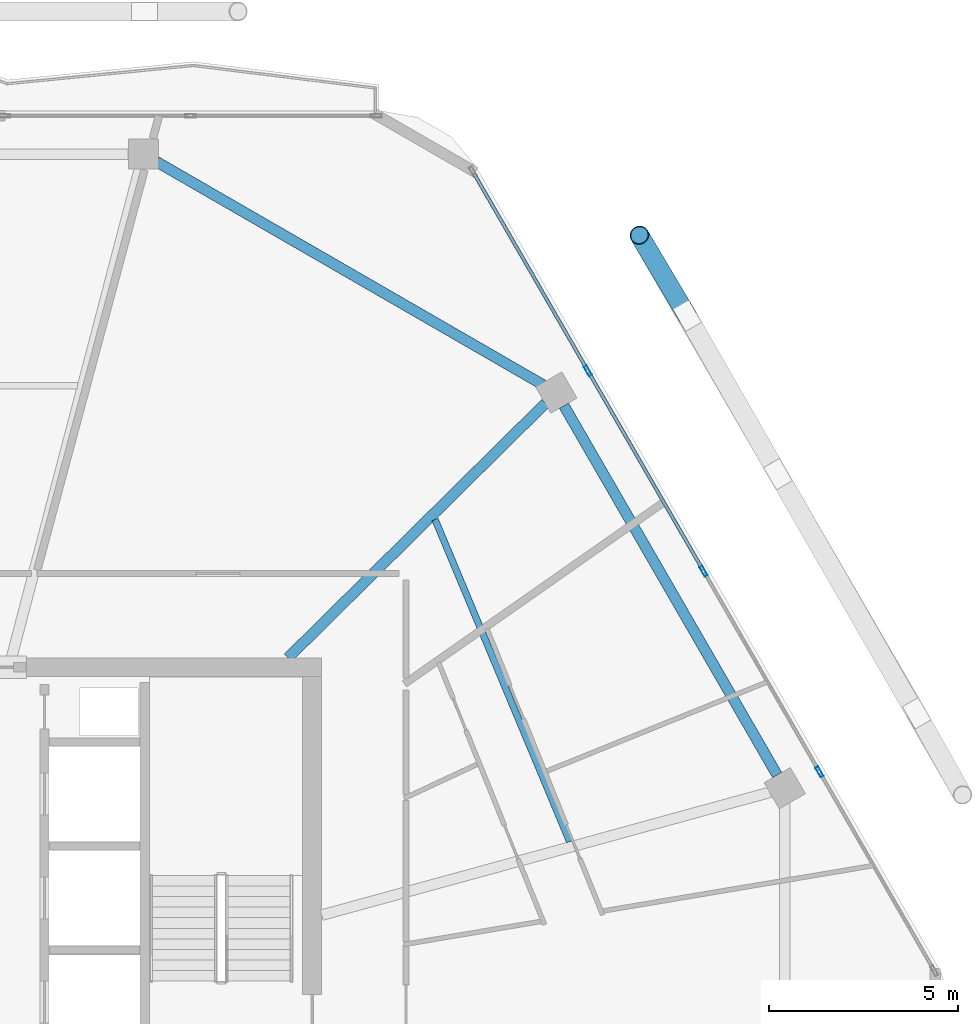
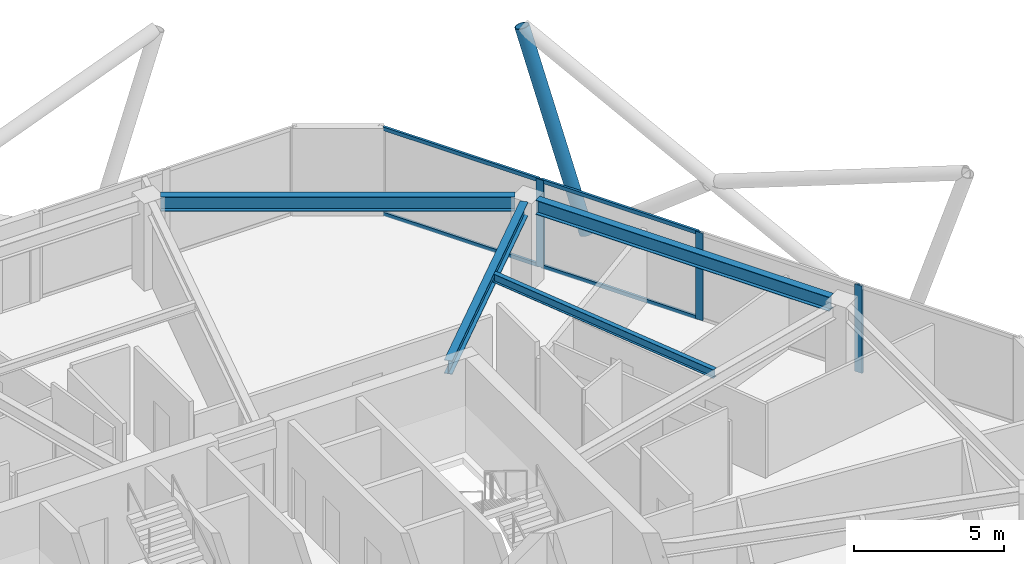
# One storey, part 13 of 23: 8 members, 4 beams, 1 element without a shape of its own.
"""IFC4 building model written with IfcOpenShell, lengths in metres."""

import ifcopenshell
import ifcopenshell.guid

model = None  # the IFC model being written
_history = None  # IfcOwnerHistory: only IFC2X3 demands one
_inside = {}  # id of a spatial element -> (the spatial element, [elements in it])
_under = {}  # id of a project, library or spatial element -> (it, [spatial elements below it])
_declared = {}  # id of a project -> (the project, [libraries it declares])
_typed = {}  # id of a type object -> (the type object, [elements of that type])
_made_of = {}  # id of a material, layer set ... -> (it, [elements and type objects made of it])


def new_model(schema):
    """Start an empty IFC model of exactly this schema.

    Asked for "IFC4X3", IfcOpenShell would pick the latest addendum, in which some entities
    have other attributes; the version numbers below select the first issue.
    IFC2X3 requires an IfcOwnerHistory on every rooted entity: one is made here for all.
    """
    global model, _history
    if schema == "IFC4X3":
        model = ifcopenshell.file(schema_version=(4, 3, 0, 0))
    else:
        model = ifcopenshell.file(schema=schema)
    _inside.clear()
    _under.clear()
    _declared.clear()
    _typed.clear()
    _made_of.clear()
    _history = None
    if model.schema == "IFC2X3":
        org = make("IfcOrganization", Name="unknown")
        user = make(
            "IfcPersonAndOrganization",
            ThePerson=make("IfcPerson", FamilyName="unknown"),
            TheOrganization=org,
        )
        app = make(
            "IfcApplication",
            ApplicationDeveloper=org,
            Version="unknown",
            ApplicationFullName="unknown",
            ApplicationIdentifier="unknown",
        )
        _history = make(
            "IfcOwnerHistory",
            OwningUser=user,
            OwningApplication=app,
            ChangeAction="ADDED",
            CreationDate=0,
        )
    return model


def make(cls, **values):
    """One entity of the class cls with the attributes given. An attribute that is None is left unset."""
    return model.create_entity(
        cls, **{name: value for name, value in values.items() if value is not None}
    )


def rooted(cls, **values):
    """An entity with a GlobalId (a new one), such as an element, a storey or a relation."""
    return make(cls, GlobalId=ifcopenshell.guid.new(), OwnerHistory=_history, **values)


def si_unit(unit_type, name, prefix=None):
    """IfcSIUnit, for example si_unit("LENGTHUNIT", "METRE", prefix="MILLI")."""
    return make("IfcSIUnit", UnitType=unit_type, Prefix=prefix, Name=name)


def assignment(units):
    """IfcUnitAssignment: the units of a project."""
    return None if units is None else make("IfcUnitAssignment", Units=units)


def point(xyz):
    """IfcCartesianPoint."""
    return None if xyz is None else make("IfcCartesianPoint", Coordinates=xyz)


def direction(xyz):
    """IfcDirection."""
    return None if xyz is None else make("IfcDirection", DirectionRatios=xyz)


def frame(location, z_axis=None, x_axis=None):
    """IfcAxis2Placement3D, a coordinate frame: its origin and axes. An axis left out is left unset."""
    return make(
        "IfcAxis2Placement3D",
        Location=point(location),
        Axis=direction(z_axis),
        RefDirection=direction(x_axis),
    )


def frame_2d(location, x_axis=None):
    """IfcAxis2Placement2D, a coordinate frame in the plane: its origin and x axis."""
    return make(
        "IfcAxis2Placement2D", Location=point(location), RefDirection=direction(x_axis)
    )


def origin():
    """The frame at (0, 0, 0) with its axes left unset."""
    return frame((0.0, 0.0, 0.0))


def origin_2d():
    """The frame at (0, 0) in the plane with its x axis left unset."""
    return frame_2d((0.0, 0.0))


def place(relative_to, where):
    """IfcLocalPlacement: puts the frame where relative to a parent placement (None: the world)."""
    return make(
        "IfcLocalPlacement", PlacementRelTo=relative_to, RelativePlacement=where
    )


def context(
    kind, dimensions, precision=None, world=None, true_north=None, identifier=None
):
    """IfcGeometricRepresentationContext, for example the 3D "Model" context."""
    return make(
        "IfcGeometricRepresentationContext",
        ContextIdentifier=identifier,
        ContextType=kind,
        CoordinateSpaceDimension=dimensions,
        Precision=precision,
        WorldCoordinateSystem=world,
        TrueNorth=true_north,
    )


def subcontext(parent, identifier, kind, view, scale=None):
    """IfcGeometricRepresentationSubContext, for example "Body" below "Model"."""
    return make(
        "IfcGeometricRepresentationSubContext",
        ContextIdentifier=identifier,
        ContextType=kind,
        ParentContext=parent,
        TargetScale=scale,
        TargetView=view,
    )


def project(units=None, contexts=None):
    """IfcProject with its units and contexts."""
    return rooted(
        "IfcProject",
        Name="project",
        RepresentationContexts=contexts,
        UnitsInContext=assignment(units),
    )


def spatial(cls, under=None, at=None, **own):
    """A site, building, storey or space (cls), placed at a placement, below another one or the project."""
    s = rooted(cls, ObjectPlacement=at, **own)
    if under is not None:
        _under.setdefault(under.id(), (under, []))[1].append(s)
    return s


def profile(cls, at=None, kind="AREA", **sizes):
    """A parametric profile (cls). Its sizes go by their IFC names, for example OverallWidth=200.0."""
    return make(cls, ProfileType=kind, Position=at, **sizes)


def hollow_rectangle(**sizes):
    """IfcRectangleHollowProfileDef."""
    return profile("IfcRectangleHollowProfileDef", **sizes)


def hollow_circle(**sizes):
    """IfcCircleHollowProfileDef."""
    return profile("IfcCircleHollowProfileDef", **sizes)


def i_section(**sizes):
    """IfcIShapeProfileDef."""
    return profile("IfcIShapeProfileDef", **sizes)


def extrude(swept, where, along, depth):
    """IfcExtrudedAreaSolid: the profile swept, set in the frame where, extruded along a direction by depth."""
    return make(
        "IfcExtrudedAreaSolid",
        SweptArea=swept,
        Position=where,
        ExtrudedDirection=direction(along),
        Depth=depth,
    )


def shape(context_of_items, identifier, shape_type, items):
    """IfcShapeRepresentation: the items that make up one representation, for example the "Body"."""
    return make(
        "IfcShapeRepresentation",
        ContextOfItems=context_of_items,
        RepresentationIdentifier=identifier,
        RepresentationType=shape_type,
        Items=items,
    )


def material(Name=None, Category=None):
    """IfcMaterial."""
    return make("IfcMaterial", Name=Name, Category=Category)


def material_profile(
    of_material, cross_section, Name=None, Category=None, Priority=None
):
    """IfcMaterialProfile: a cross section and its material."""
    return make(
        "IfcMaterialProfile",
        Name=Name,
        Material=of_material,
        Profile=cross_section,
        Priority=Priority,
        Category=Category,
    )


def profile_set(profiles, Name=None, composite=None):
    """IfcMaterialProfileSet."""
    return make(
        "IfcMaterialProfileSet",
        Name=Name,
        MaterialProfiles=profiles,
        CompositeProfile=composite,
    )


def made_of(thing, what):
    """Note that an element or type object is made of a material, layer set ...; save() writes the relation."""
    if what is not None:
        _made_of.setdefault(what.id(), (what, []))[1].append(thing)
    return thing


def type_object(cls, material=None, **own):
    """A type object (cls), such as IfcWallType, which elements share."""
    return made_of(rooted(cls, **own), material)


def element(
    cls,
    number,
    at=None,
    inside=None,
    cuts=None,
    type_object=None,
    material=None,
    context=None,
    identifier="Body",
    shape_type=None,
    held_by="IfcProductDefinitionShape",
    body=None,
    shapes=None,
    **own,
):
    """One element of the class cls, such as IfcWall. Its Tag is "e" and its number.

    at: its placement. inside: the storey or other place that contains it. cuts: it is an
    opening in that element (IfcRelVoidsElement). A single representation is given by context,
    identifier, shape_type and body (its items); several are given by shapes. held_by: the class
    of the entity that holds the representations. save() writes the other relations.
    """
    e = rooted(cls, Tag="e%d" % number, ObjectPlacement=at, **own)
    if body is not None:
        shapes = [shape(context, identifier, shape_type, body)]
    if shapes is not None:
        e.Representation = make(held_by, Representations=shapes)
    if inside is not None:
        _inside.setdefault(inside.id(), (inside, []))[1].append(e)
    if cuts is not None:
        rooted(
            "IfcRelVoidsElement", RelatingBuildingElement=cuts, RelatedOpeningElement=e
        )
    if type_object is not None:
        _typed.setdefault(type_object.id(), (type_object, []))[1].append(e)
    return made_of(e, material)


def aggregate(whole, parts):
    """IfcRelAggregates: a whole, such as a stair, and the parts it consists of."""
    return rooted("IfcRelAggregates", RelatingObject=whole, RelatedObjects=parts)


def save(model, path):
    """Write the relations noted so far, then the file.

    IfcRelAggregates (storeys below a building ...), IfcRelContainedInSpatialStructure (elements
    in a storey), IfcRelDefinesByType, IfcRelAssociatesMaterial and IfcRelDeclares: one each for
    every whole, place, type object, material and project.
    """
    for whole, parts in _under.values():
        aggregate(whole, parts)
    for where, things in _inside.values():
        rooted(
            "IfcRelContainedInSpatialStructure",
            RelatedElements=things,
            RelatingStructure=where,
        )
    for kind, things in _typed.values():
        rooted("IfcRelDefinesByType", RelatedObjects=things, RelatingType=kind)
    for what, things in _made_of.values():
        rooted("IfcRelAssociatesMaterial", RelatedObjects=things, RelatingMaterial=what)
    for by, libraries in _declared.values():
        rooted("IfcRelDeclares", RelatingContext=by, RelatedDefinitions=libraries)
    model.write(path)


model = new_model("IFC4")

# Units and contexts
model_context = context("Model", 3, precision=1e-05, world=origin(), true_north=direction((0.0, 1.0)))
body_context = subcontext(model_context, "Body", "Model", "MODEL_VIEW")
ifc_project = project(units=[si_unit("LENGTHUNIT", "METRE"), si_unit("AREAUNIT", "SQUARE_METRE"), si_unit("VOLUMEUNIT", "CUBIC_METRE"), si_unit("PLANEANGLEUNIT", "RADIAN"), si_unit("MASSUNIT", "GRAM", prefix="KILO")], contexts=[model_context])

# Site, building, storey
site_placement = place(None, origin())
site = spatial("IfcSite", under=ifc_project, at=site_placement, CompositionType="ELEMENT")
building_placement = place(site_placement, origin())
building = spatial("IfcBuilding", under=site, at=building_placement, Name="Zuhravey Tower", CompositionType="ELEMENT")
storey_placement = place(building_placement, frame((0.0, 0.0, 323.39990234375)))
storey = spatial("IfcBuildingStorey", under=building, at=storey_placement, Name="L82", CompositionType="ELEMENT", Elevation=323.39990234375)

# Curtain wall, members
ifc_material_1 = material(Name="Thermally broken anodised aluminium", Category="aluminium")
curtain_wall_type = type_object("IfcCurtainWallType", Name="Zone 3-4 High-Rise Curtain Wall CW4", PredefinedType="NOTDEFINED", material=ifc_material_1)
curtain_wall_placement = place(storey_placement, origin())
curtain_wall = element("IfcCurtainWall", 1, at=curtain_wall_placement, inside=storey, type_object=curtain_wall_type, Name="L82 CW4 CW-L82-F1-1", PredefinedType="NOTDEFINED")
ifc_material_2 = material(Name="Anodised aluminium", Category="aluminium")
ifc_material_profile_1 = material_profile(ifc_material_2, hollow_rectangle(XDim=0.090087890625, YDim=0.284912109375, WallThickness=0.0048828125, at=origin_2d()), Name="ALU-RHS-90x285x5")
ifc_profile_set_1 = profile_set([ifc_material_profile_1], Name="Anodised aluminium")
member_type_1 = type_object("IfcMemberType", Name="Curtain-Wall Mullion 90x180", PredefinedType="MULLION", material=ifc_profile_set_1)
member_1_placement = place(storey_placement, frame((53.788818359375, 49.3369140625, 0.0), z_axis=(0.0, 0.0, 1.0), x_axis=(0.866025511541, 0.49999981336, 0.0)))
member_1 = element("IfcMember", 2, at=member_1_placement, type_object=member_type_1, Name="CW4 mullion 2", PredefinedType="MULLION", context=body_context, shape_type="SweptSolid", body=[
    extrude(hollow_rectangle(XDim=0.090087890625, YDim=0.284912109375, WallThickness=0.0048828125, at=origin_2d()), origin(), (0.0, 0.0, 1.0), 3.550048828125),
])
member_2_placement = place(storey_placement, frame((56.8486328125, 44.037109375, 0.0), z_axis=(0.0, 0.0, 1.0), x_axis=(0.866025511541, 0.49999981336, 0.0)))
member_2 = element("IfcMember", 3, at=member_2_placement, type_object=member_type_1, Name="CW4 mullion 3", PredefinedType="MULLION", context=body_context, shape_type="SweptSolid", body=[
    extrude(hollow_rectangle(XDim=0.090087890625, YDim=0.284912109375, WallThickness=0.0048828125, at=origin_2d()), origin(), (0.0, 0.0, 1.0), 3.550048828125),
])
member_3_placement = place(storey_placement, frame((59.90869140625, 38.7373046875, 0.0), z_axis=(0.0, 0.0, 1.0), x_axis=(0.866025511541, 0.49999981336, 0.0)))
member_3 = element("IfcMember", 4, at=member_3_placement, type_object=member_type_1, Name="CW4 mullion 4", PredefinedType="MULLION", context=body_context, shape_type="SweptSolid", body=[
    extrude(hollow_rectangle(XDim=0.090087890625, YDim=0.284912109375, WallThickness=0.0048828125, at=origin_2d()), origin(), (0.0, 0.0, 1.0), 3.550048828125),
])
ifc_material_profile_2 = material_profile(ifc_material_2, hollow_rectangle(XDim=0.090087890625, YDim=0.14990234375, WallThickness=0.0048828125, at=origin_2d()), Name="ALU-RHS-90x150x5")
ifc_profile_set_2 = profile_set([ifc_material_profile_2], Name="Anodised aluminium")
member_type_2 = type_object("IfcMemberType", Name="Curtain-Wall Transom 90x150", PredefinedType="USERDEFINED", material=ifc_profile_set_2)
member_4_placement = place(storey_placement, frame((50.774169921875, 54.55859375, 0.045166015625), z_axis=(0.499982594807, -0.866035452444, 0.0), x_axis=(0.866035452444, 0.499982594807, 0.0)))
member_4 = element("IfcMember", 5, at=member_4_placement, type_object=member_type_2, Name="CW4 transom 1.1", ObjectType="TRANSOM", PredefinedType="USERDEFINED", context=body_context, shape_type="SweptSolid", body=[
    extrude(hollow_rectangle(XDim=0.090087890625, YDim=0.14990234375, WallThickness=0.0048828125, at=origin_2d()), origin(), (0.0, 0.0, 1.0), 5.984619140625),
])
member_5_placement = place(storey_placement, frame((50.774169921875, 54.55859375, 3.505126953125), z_axis=(0.499982594807, -0.866035452444, 0.0), x_axis=(0.866035452444, 0.499982594807, 0.0)))
member_5 = element("IfcMember", 6, at=member_5_placement, type_object=member_type_2, Name="CW4 transom 1.2", ObjectType="TRANSOM", PredefinedType="USERDEFINED", context=body_context, shape_type="SweptSolid", body=[
    extrude(hollow_rectangle(XDim=0.090087890625, YDim=0.14990234375, WallThickness=0.0048828125, at=origin_2d()), origin(), (0.0, 0.0, 1.0), 5.984619140625),
])
member_6_placement = place(storey_placement, frame((53.8115234375, 49.2978515625, 0.045166015625), z_axis=(0.499971305196, -0.866041970103, 0.0), x_axis=(0.866041970103, 0.499971305196, 0.0)))
member_6 = element("IfcMember", 7, at=member_6_placement, type_object=member_type_2, Name="CW4 transom 2.1", ObjectType="TRANSOM", PredefinedType="USERDEFINED", context=body_context, shape_type="SweptSolid", body=[
    extrude(hollow_rectangle(XDim=0.090087890625, YDim=0.14990234375, WallThickness=0.0048828125, at=origin_2d()), origin(), (0.0, 0.0, 1.0), 6.029541015625),
])
member_7_placement = place(storey_placement, frame((53.8115234375, 49.2978515625, 3.505126953125), z_axis=(0.499971305196, -0.866041970103, 0.0), x_axis=(0.866041970103, 0.499971305196, 0.0)))
member_7 = element("IfcMember", 8, at=member_7_placement, type_object=member_type_2, Name="CW4 transom 2.2", ObjectType="TRANSOM", PredefinedType="USERDEFINED", context=body_context, shape_type="SweptSolid", body=[
    extrude(hollow_rectangle(XDim=0.090087890625, YDim=0.14990234375, WallThickness=0.0048828125, at=origin_2d()), origin(), (0.0, 0.0, 1.0), 6.029541015625),
])
aggregate(curtain_wall, [member_1, member_2, member_3, member_4, member_5, member_6, member_7])

# Member
ifc_material_3 = material(Name="Steel SM355", Category="steel")
ifc_material_profile_3 = material_profile(ifc_material_3, hollow_circle(Radius=0.25390625, WallThickness=0.02490234375, at=origin_2d()), Name="CHS-508.0x25")
ifc_profile_set_3 = profile_set([ifc_material_profile_3], Name="Steel SM355")
member_type_3 = type_object("IfcMemberType", Name="Exoskeleton Zone 4 Diagrid CHS508x25", PredefinedType="BRACE", material=ifc_profile_set_3)
member_8_placement = place(storey_placement, frame((56.410400390625, 50.796142578125, -0.447998046875), z_axis=(-0.158476866011, 0.26696973597, 0.950585210812), x_axis=(-0.859906229108, -0.510452032165, 0.0)))
element("IfcMember", 9, at=member_8_placement, inside=storey, type_object=member_type_3, Name="L82 Face 1 Diagrid Brace 4", PredefinedType="BRACE", context=body_context, shape_type="SweptSolid", body=[
    extrude(hollow_circle(Radius=0.25390625, WallThickness=0.02490234375, at=origin_2d()), origin(), (0.0, 0.0, 1.0), 7.96142578125),
])

# Beams
ifc_material_profile_4 = material_profile(ifc_material_3, i_section(OverallWidth=0.280029296875, OverallDepth=0.580078125, WebThickness=0.011962890625, FlangeThickness=0.01904296875, at=origin_2d()), Name="H-580x280x12x19")
ifc_profile_set_4 = profile_set([ifc_material_profile_4], Name="Steel SM355")
beam_type_1 = type_object("IfcBeamType", Name="Perimeter Ring Beam H580x280", PredefinedType="BEAM", material=ifc_profile_set_4)
beam_1_placement = place(storey_placement, frame((58.7919921875, 38.6513671875, 3.260009765625), z_axis=(-0.500006198144, 0.866021825255, 0.0), x_axis=(-0.866021825255, -0.500006198144, 0.0)))
element("IfcBeam", 10, at=beam_1_placement, inside=storey, type_object=beam_type_1, Name="L82 PB4 BM-L82-PB-01", PredefinedType="BEAM", context=body_context, shape_type="SweptSolid", body=[
    extrude(i_section(OverallWidth=0.280029296875, OverallDepth=0.580078125, WebThickness=0.011962890625, FlangeThickness=0.01904296875, at=origin_2d()), origin(), (0.0, 0.0, 1.0), 11.271240234375),
])
beam_2_placement = place(storey_placement, frame((52.605712890625, 48.963134765625, 3.260009765625), z_axis=(-0.866023977509, 0.500002470373, 0.0), x_axis=(-0.500002470373, -0.866023977509, 0.0)))
element("IfcBeam", 11, at=beam_2_placement, inside=storey, type_object=beam_type_1, Name="L82 PB4 BM-L82-PB-02", PredefinedType="BEAM", context=body_context, shape_type="SweptSolid", body=[
    extrude(i_section(OverallWidth=0.280029296875, OverallDepth=0.580078125, WebThickness=0.011962890625, FlangeThickness=0.01904296875, at=origin_2d()), origin(), (0.0, 0.0, 1.0), 11.798828125),
])
ifc_material_profile_5 = material_profile(ifc_material_3, i_section(OverallWidth=0.280029296875, OverallDepth=0.550048828125, WebThickness=0.010986328125, FlangeThickness=0.01806640625, at=origin_2d()), Name="H-550x280x11x18")
ifc_profile_set_5 = profile_set([ifc_material_profile_5], Name="Steel SM355")
beam_type_2 = type_object("IfcBeamType", Name="Radial Primary Girder H550x280", PredefinedType="BEAM", material=ifc_profile_set_5)
beam_3_placement = place(storey_placement, frame((45.865234375, 41.7529296875, 3.275146484375), z_axis=(0.711153035666, 0.703037239314, 0.0), x_axis=(-0.703037239314, 0.711153035666, 0.0)))
element("IfcBeam", 12, at=beam_3_placement, inside=storey, type_object=beam_type_2, Name="L82 RG4 BM-L82-RAD-02", PredefinedType="BEAM", context=body_context, shape_type="SweptSolid", body=[
    extrude(i_section(OverallWidth=0.280029296875, OverallDepth=0.550048828125, WebThickness=0.010986328125, FlangeThickness=0.01806640625, at=origin_2d()), origin(), (0.0, 0.0, 1.0), 9.566162109375),
])
ifc_material_profile_6 = material_profile(ifc_material_3, i_section(OverallWidth=0.175048828125, OverallDepth=0.35009765625, WebThickness=0.007080078125, FlangeThickness=0.010986328125, at=origin_2d()), Name="H-350x175x7x11")
ifc_profile_set_6 = profile_set([ifc_material_profile_6], Name="Steel SM355")
beam_type_3 = type_object("IfcBeamType", Name="Secondary Floor Joist H350x175", PredefinedType="JOIST", material=ifc_profile_set_6)
beam_4_placement = place(storey_placement, frame((53.307373046875, 36.891845703125, 3.375), z_axis=(-0.385657891576, 0.922641853953, 0.0), x_axis=(-0.922641853953, -0.385657891576, 0.0)))
element("IfcBeam", 13, at=beam_4_placement, inside=storey, type_object=beam_type_3, Name="L82 SJ3 BM-L82-SJ-01-1", PredefinedType="JOIST", context=body_context, shape_type="SweptSolid", body=[
    extrude(i_section(OverallWidth=0.175048828125, OverallDepth=0.35009765625, WebThickness=0.007080078125, FlangeThickness=0.010986328125, at=origin_2d()), origin(), (0.0, 0.0, 1.0), 9.226806640625),
])

save(model, "model.ifc")
